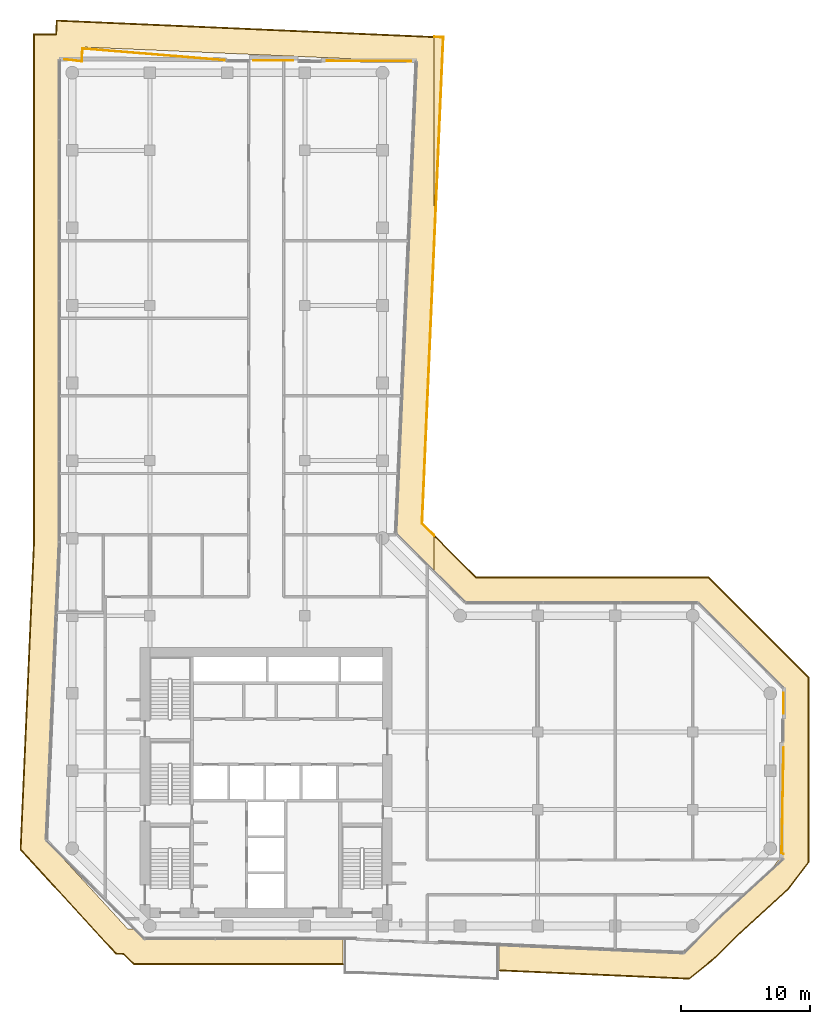
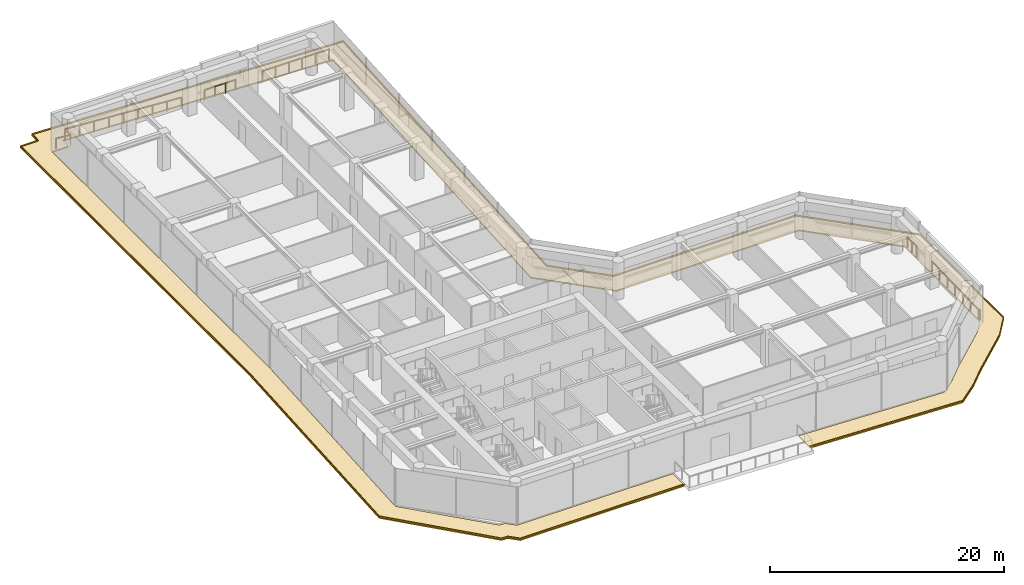
# One storey, part 25 of 25: 7 coverings, 5 railings.
"""IFC4 building model written with IfcOpenShell, lengths in metres."""

from ifc_helpers import new_model, si_unit, direction, frame, origin, origin_2d, place, context, subcontext, project, spatial, polyline, circle, outline, extrude, material, layer, layer_set, type_object, element, save


model = new_model("IFC4")

# Units and contexts
model_context = context("Model", 3, precision=1e-05, world=origin(), true_north=direction((0.0, 1.0)))
body_context = subcontext(model_context, "Body", "Model", "MODEL_VIEW")
ifc_project = project(units=[si_unit("LENGTHUNIT", "METRE"), si_unit("AREAUNIT", "SQUARE_METRE"), si_unit("VOLUMEUNIT", "CUBIC_METRE"), si_unit("PLANEANGLEUNIT", "RADIAN"), si_unit("MASSUNIT", "GRAM", prefix="KILO")], contexts=[model_context])

# Site, building, storey
site_placement = place(None, origin())
site = spatial("IfcSite", under=ifc_project, at=site_placement, CompositionType="ELEMENT")
building_placement = place(site_placement, origin())
building = spatial("IfcBuilding", under=site, at=building_placement, Name="Welwitschia Terrace Campus", CompositionType="ELEMENT")
storey_placement = place(building_placement, frame((0.0, 0.0, 121.39990234375)))
storey = spatial("IfcBuildingStorey", under=building, at=storey_placement, Name="L27", CompositionType="ELEMENT", Elevation=121.39990234375)

# Railings
ifc_material_1 = material(Name="Stainless steel grade 316", Category="steel")
railing_type = type_object("IfcRailingType", Name="Guard 1100", PredefinedType="GUARDRAIL", material=ifc_material_1)
railing_1_placement = place(storey_placement, frame((-0.5791015625, 71.036376953125, 0.0)))
element("IfcRailing", 1, at=railing_1_placement, inside=storey, type_object=railing_type, Name="Guard floor edge L27.0", PredefinedType="GUARDRAIL", context=body_context, shape_type="SweptSolid", body=[
    extrude(circle(Radius=0.02392578125, at=origin_2d()), frame((0.0, 0.0, 1.076171875), z_axis=(0.993074073073, -0.117489937401, 0.0), x_axis=(0.117489937401, 0.993074073073, 0.0)), (0.0, 0.0, 1.0), 1.33203125),
    extrude(circle(Radius=0.02392578125, at=origin_2d()), frame((1.32275390625, -0.156494140625, 1.076171875), z_axis=(0.043533284088, 0.999051977215, 0.0), x_axis=(-0.999051977215, 0.043533284088, 0.0)), (0.0, 0.0, 1.0), 0.99267578125),
    extrude(circle(Radius=0.02392578125, at=origin_2d()), frame((1.365966796875, 0.835205078125, 1.076171875), z_axis=(0.996651899605, -0.081761794343, 0.0), x_axis=(0.081761794343, 0.996651899605, 0.0)), (0.0, 0.0, 1.0), 11.018310546875),
    extrude(circle(Radius=0.02099609375, at=origin_2d()), origin(), (0.0, 0.0, 1.0), 1.052001953125),
    extrude(circle(Radius=0.02099609375, at=origin_2d()), frame((1.32275390625, -0.156494140625, 0.0)), (0.0, 0.0, 1.0), 1.052001953125),
    extrude(circle(Radius=0.02099609375, at=origin_2d()), frame((1.365966796875, 0.835205078125, 0.0)), (0.0, 0.0, 1.0), 1.052001953125),
    extrude(circle(Radius=0.02099609375, at=origin_2d()), frame((2.73876953125, 0.72265625, 0.0)), (0.0, 0.0, 1.0), 1.052001953125),
    extrude(circle(Radius=0.02099609375, at=origin_2d()), frame((4.111328125, 0.60986328125, 0.0)), (0.0, 0.0, 1.0), 1.052001953125),
    extrude(circle(Radius=0.02099609375, at=origin_2d()), frame((5.48388671875, 0.497314453125, 0.0)), (0.0, 0.0, 1.0), 1.052001953125),
    extrude(circle(Radius=0.02099609375, at=origin_2d()), frame((6.856689453125, 0.384765625, 0.0)), (0.0, 0.0, 1.0), 1.052001953125),
    extrude(circle(Radius=0.02099609375, at=origin_2d()), frame((8.2294921875, 0.272216796875, 0.0)), (0.0, 0.0, 1.0), 1.052001953125),
    extrude(circle(Radius=0.02099609375, at=origin_2d()), frame((9.60205078125, 0.15966796875, 0.0)), (0.0, 0.0, 1.0), 1.052001953125),
    extrude(circle(Radius=0.02099609375, at=origin_2d()), frame((10.974609375, 0.046875, 0.0)), (0.0, 0.0, 1.0), 1.052001953125),
    extrude(circle(Radius=0.02099609375, at=origin_2d()), frame((12.347412109375, -0.065673828125, 0.0)), (0.0, 0.0, 1.0), 1.052001953125),
])
railing_2_placement = place(storey_placement, frame((14.02392578125, 70.958740234375, 0.0)))
element("IfcRailing", 2, at=railing_2_placement, inside=storey, type_object=railing_type, Name="Guard floor edge L27.1", PredefinedType="GUARDRAIL", context=body_context, shape_type="SweptSolid", body=[
    extrude(circle(Radius=0.02392578125, at=origin_2d()), frame((0.0, 0.0, 1.076171875), z_axis=(0.999985607891, -0.005365073329, 0.0), x_axis=(0.005365073329, 0.999985607891, 0.0)), (0.0, 0.0, 1.0), 3.048828125),
    extrude(circle(Radius=0.02099609375, at=origin_2d()), origin(), (0.0, 0.0, 1.0), 1.052001953125),
    extrude(circle(Radius=0.02099609375, at=origin_2d()), frame((1.016357421875, -0.00537109375, 0.0)), (0.0, 0.0, 1.0), 1.052001953125),
    extrude(circle(Radius=0.02099609375, at=origin_2d()), frame((2.032470703125, -0.010986328125, 0.0)), (0.0, 0.0, 1.0), 1.052001953125),
    extrude(circle(Radius=0.02099609375, at=origin_2d()), frame((3.048828125, -0.016357421875, 0.0)), (0.0, 0.0, 1.0), 1.052001953125),
])
railing_3_placement = place(storey_placement, frame((19.699951171875, 70.928466796875, 0.0)))
element("IfcRailing", 3, at=railing_3_placement, inside=storey, type_object=railing_type, Name="Guard floor edge L27.2", PredefinedType="GUARDRAIL", context=body_context, shape_type="SweptSolid", body=[
    extrude(circle(Radius=0.02392578125, at=origin_2d()), frame((0.0, 0.0, 1.076171875), z_axis=(0.999985879028, -0.005314296213, 0.0), x_axis=(0.005314296213, 0.999985879028, 0.0)), (0.0, 0.0, 1.0), 6.5234375),
    extrude(circle(Radius=0.02099609375, at=origin_2d()), origin(), (0.0, 0.0, 1.0), 1.052001953125),
    extrude(circle(Radius=0.02099609375, at=origin_2d()), frame((1.3046875, -0.0068359375, 0.0)), (0.0, 0.0, 1.0), 1.052001953125),
    extrude(circle(Radius=0.02099609375, at=origin_2d()), frame((2.609375, -0.013916015625, 0.0)), (0.0, 0.0, 1.0), 1.052001953125),
    extrude(circle(Radius=0.02099609375, at=origin_2d()), frame((3.9140625, -0.020751953125, 0.0)), (0.0, 0.0, 1.0), 1.052001953125),
    extrude(circle(Radius=0.02099609375, at=origin_2d()), frame((5.21875, -0.02783203125, 0.0)), (0.0, 0.0, 1.0), 1.052001953125),
    extrude(circle(Radius=0.02099609375, at=origin_2d()), frame((6.5234375, -0.03466796875, 0.0)), (0.0, 0.0, 1.0), 1.052001953125),
])
railing_4_placement = place(storey_placement, frame((55.030029296875, 17.785400390625, 0.0)))
element("IfcRailing", 4, at=railing_4_placement, inside=storey, type_object=railing_type, Name="Guard floor edge L27.3", PredefinedType="GUARDRAIL", context=body_context, shape_type="SweptSolid", body=[
    extrude(circle(Radius=0.02392578125, at=origin_2d()), frame((0.0, 0.0, 1.076171875), z_axis=(-0.018399589713, -0.99983071322, 0.0), x_axis=(0.99983071322, -0.018399589713, 0.0)), (0.0, 0.0, 1.0), 8.160400390625),
    extrude(circle(Radius=0.02392578125, at=origin_2d()), frame((-0.150146484375, -8.158935546875, 1.076171875), z_axis=(0.910112906362, -0.414360347612, 0.0), x_axis=(0.414360347612, 0.910112906362, 0.0)), (0.0, 0.0, 1.0), 0.1650390625),
    extrude(circle(Radius=0.02099609375, at=origin_2d()), origin(), (0.0, 0.0, 1.0), 1.052001953125),
    extrude(circle(Radius=0.02099609375, at=origin_2d()), frame((-0.02490234375, -1.35986328125, 0.0)), (0.0, 0.0, 1.0), 1.052001953125),
    extrude(circle(Radius=0.02099609375, at=origin_2d()), frame((-0.050048828125, -2.7197265625, 0.0)), (0.0, 0.0, 1.0), 1.052001953125),
    extrude(circle(Radius=0.02099609375, at=origin_2d()), frame((-0.0751953125, -4.07958984375, 0.0)), (0.0, 0.0, 1.0), 1.052001953125),
    extrude(circle(Radius=0.02099609375, at=origin_2d()), frame((-0.10009765625, -5.439208984375, 0.0)), (0.0, 0.0, 1.0), 1.052001953125),
    extrude(circle(Radius=0.02099609375, at=origin_2d()), frame((-0.125, -6.799072265625, 0.0)), (0.0, 0.0, 1.0), 1.052001953125),
    extrude(circle(Radius=0.02099609375, at=origin_2d()), frame((-0.150146484375, -8.158935546875, 0.0)), (0.0, 0.0, 1.0), 1.052001953125),
    extrude(circle(Radius=0.02099609375, at=origin_2d()), frame((0.0, -8.227294921875, 0.0)), (0.0, 0.0, 1.0), 1.052001953125),
])
railing_5_placement = place(storey_placement, frame((55.030029296875, 22.0029296875, 0.0)))
element("IfcRailing", 5, at=railing_5_placement, inside=storey, type_object=railing_type, Name="Guard floor edge L27.4", PredefinedType="GUARDRAIL", context=body_context, shape_type="SweptSolid", body=[
    extrude(circle(Radius=0.02392578125, at=origin_2d()), frame((0.0, 0.0, 1.076171875), z_axis=(0.0, -1.0, 0.0), x_axis=(1.0, 0.0, 0.0)), (0.0, 0.0, 1.0), 1.570068359375),
    extrude(circle(Radius=0.02099609375, at=origin_2d()), origin(), (0.0, 0.0, 1.0), 1.052001953125),
    extrude(circle(Radius=0.02099609375, at=origin_2d()), frame((0.0, -0.78515625, 0.0)), (0.0, 0.0, 1.0), 1.052001953125),
    extrude(circle(Radius=0.02099609375, at=origin_2d()), frame((0.0, -1.570068359375, 0.0)), (0.0, 0.0, 1.0), 1.052001953125),
])

# Coverings
ifc_material_2 = material(Name="Bronze anodised aluminium", Category="aluminium")
ifc_layer_1 = layer(ifc_material_2, 0.1201171875)
ifc_layer_set_1 = layer_set([ifc_layer_1], Name="Bronze anodised aluminium")
covering_type_1 = type_object("IfcCoveringType", Name="Sunshade band 2000", PredefinedType="USERDEFINED", material=ifc_layer_set_1)
covering_1_placement = place(storey_placement, frame((0.0, 0.0, -0.25)))
element("IfcCovering", 6, at=covering_1_placement, inside=storey, type_object=covering_type_1, Name="SUNSHADE L27.SW0", ObjectType="SUNSHADE", PredefinedType="USERDEFINED", context=body_context, shape_type="SweptSolid", body=[
    extrude(outline(polyline([(-1.238525390625, 74.082275390625), (27.993408203125, 72.805908203125), (27.993408203125, 55.837646484375), (27.090087890625, 35.15234375), (27.993408203125, 34.249267578125), (27.993408203125, 31.4208984375), (25.0537109375, 34.360595703125), (26.6474609375, 70.86279296875), (0.672119140625, 71.996826171875), (0.628662109375, 71.0), (-1.0, 71.0), (-1.0, 33.697021484375), (-2.006591796875, 10.64111328125), (4.28564453125, 3.7744140625), (4.83544921875, 3.750244140625), (5.585693359375, 3.0), (20.949951171875, 3.0), (20.949951171875, 1.0), (4.75732421875, 1.0), (3.97119140625, 1.7861328125), (3.37060546875, 1.8125), (-4.041015625, 9.900634765625), (-3.0, 33.740478515625), (-3.0, 73.0), (-1.285888671875, 73.0), (-1.238525390625, 74.082275390625)])), origin(), (0.0, 0.0, 1.0), 0.1201171875),
])
covering_2_placement = place(storey_placement, frame((0.0, 0.0, -0.25)))
element("IfcCovering", 7, at=covering_2_placement, inside=storey, type_object=covering_type_1, Name="SUNSHADE L27.SE0", ObjectType="SUNSHADE", PredefinedType="USERDEFINED", context=body_context, shape_type="SweptSolid", body=[
    extrude(outline(polyline([(28.73291015625, 72.773681640625), (27.993408203125, 55.837646484375), (27.993408203125, 72.805908203125), (28.73291015625, 72.773681640625)])), origin(), (0.0, 0.0, 1.0), 0.1201171875),
])
covering_3_placement = place(storey_placement, frame((0.0, 0.0, -0.25)))
element("IfcCovering", 8, at=covering_3_placement, inside=storey, type_object=covering_type_1, Name="SUNSHADE L27.SE1", ObjectType="SUNSHADE", PredefinedType="USERDEFINED", context=body_context, shape_type="SweptSolid", body=[
    extrude(outline(polyline([(31.24267578125, 31.0), (49.24267578125, 31.0), (57.0, 23.24267578125), (57.0, 8.9091796875), (55.421875, 6.843505859375), (51.409912109375, 3.167236328125), (49.7568359375, 1.51416015625), (47.7470703125, -0.125244140625), (33.050048828125, 0.5166015625), (33.050048828125, 2.518310546875), (47.0732421875, 1.90625), (48.414306640625, 3.0), (50.026611328125, 4.6123046875), (53.940185546875, 8.198486328125), (55.0, 9.585693359375), (55.0, 22.414306640625), (48.414306640625, 29.0), (30.414306640625, 29.0), (27.993408203125, 31.4208984375), (27.993408203125, 34.249267578125), (31.24267578125, 31.0)])), origin(), (0.0, 0.0, 1.0), 0.1201171875),
])
ifc_material_3 = material(Name="Bronze anodised aluminium", Category="aluminium")
ifc_layer_2 = layer(ifc_material_3, 0.06005859375)
ifc_layer_set_2 = layer_set([ifc_layer_2], Name="Bronze anodised aluminium")
covering_type_2 = type_object("IfcCoveringType", Name="Sunshade lip 60", PredefinedType="USERDEFINED", material=ifc_layer_set_2)
covering_4_placement = place(storey_placement, frame((0.0, 0.0, -0.1298828125)))
element("IfcCovering", 9, at=covering_4_placement, inside=storey, type_object=covering_type_2, Name="SUNSHADE LIP L27.SW0.0", ObjectType="SUNSHADE", PredefinedType="USERDEFINED", context=body_context, shape_type="SweptSolid", body=[
    extrude(outline(polyline([(27.993408203125, 72.805908203125), (27.993408203125, 72.745849609375), (-1.181396484375, 74.01953125), (-1.228515625, 72.93994140625), (-2.93994140625, 72.93994140625), (-2.93994140625, 33.7392578125), (-3.979736328125, 9.9228515625), (3.398193359375, 1.87109375), (3.9970703125, 1.84521484375), (4.7822265625, 1.06005859375), (20.949951171875, 1.06005859375), (20.949951171875, 1.0), (4.75732421875, 1.0), (3.97119140625, 1.7861328125), (3.37060546875, 1.8125), (-4.041015625, 9.900634765625), (-3.0, 33.740478515625), (-3.0, 73.0), (-1.285888671875, 73.0), (-1.238525390625, 74.082275390625), (27.993408203125, 72.805908203125)])), origin(), (0.0, 0.0, 1.0), 0.1298828125),
])
covering_5_placement = place(storey_placement, frame((0.0, 0.0, -0.1298828125)))
element("IfcCovering", 10, at=covering_5_placement, inside=storey, type_object=covering_type_2, Name="SUNSHADE LIP L27.SW0.1", ObjectType="SUNSHADE", PredefinedType="USERDEFINED", context=body_context, shape_type="SweptSolid", body=[
    extrude(outline(polyline([(27.993408203125, 55.837646484375), (27.090087890625, 35.15234375), (27.993408203125, 34.249267578125), (27.993408203125, 34.164306640625), (27.029052734375, 35.128662109375), (27.993408203125, 57.213134765625), (27.993408203125, 55.837646484375)])), origin(), (0.0, 0.0, 1.0), 0.1298828125),
])
covering_6_placement = place(storey_placement, frame((0.0, 0.0, -0.1298828125)))
element("IfcCovering", 11, at=covering_6_placement, inside=storey, type_object=covering_type_2, Name="SUNSHADE LIP L27.SE0.0", ObjectType="SUNSHADE", PredefinedType="USERDEFINED", context=body_context, shape_type="SweptSolid", body=[
    extrude(outline(polyline([(27.993408203125, 55.837646484375), (27.993408203125, 57.213134765625), (28.670166015625, 72.71630859375), (27.993408203125, 72.745849609375), (27.993408203125, 72.805908203125), (28.73291015625, 72.773681640625), (27.993408203125, 55.837646484375)])), origin(), (0.0, 0.0, 1.0), 0.1298828125),
])
covering_7_placement = place(storey_placement, frame((0.0, 0.0, -0.1298828125)))
element("IfcCovering", 12, at=covering_7_placement, inside=storey, type_object=covering_type_2, Name="SUNSHADE LIP L27.SE1.0", ObjectType="SUNSHADE", PredefinedType="USERDEFINED", context=body_context, shape_type="SweptSolid", body=[
    extrude(outline(polyline([(49.24267578125, 31.0), (57.0, 23.24267578125), (57.0, 8.9091796875), (55.421875, 6.843505859375), (51.409912109375, 3.167236328125), (49.7568359375, 1.51416015625), (47.7470703125, -0.125244140625), (33.050048828125, 0.5166015625), (33.050048828125, 0.57666015625), (47.726806640625, -0.064208984375), (49.716552734375, 1.558837890625), (51.368408203125, 3.210693359375), (55.37744140625, 6.88427734375), (56.93994140625, 8.929443359375), (56.93994140625, 23.2177734375), (49.2177734375, 30.93994140625), (31.2177734375, 30.93994140625), (27.993408203125, 34.164306640625), (27.993408203125, 34.249267578125), (31.24267578125, 31.0), (49.24267578125, 31.0)])), origin(), (0.0, 0.0, 1.0), 0.1298828125),
])

save(model, "model.ifc")
